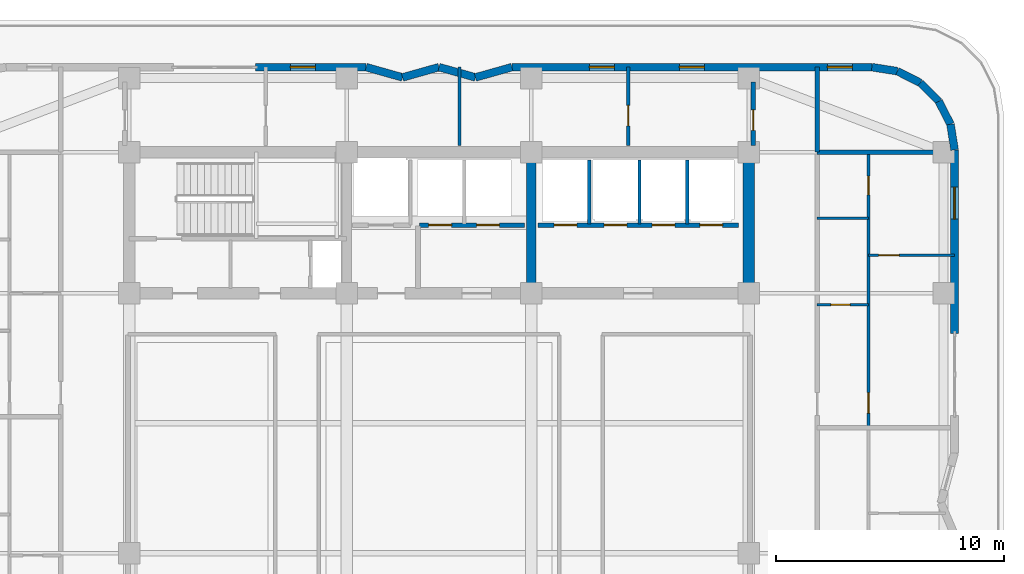
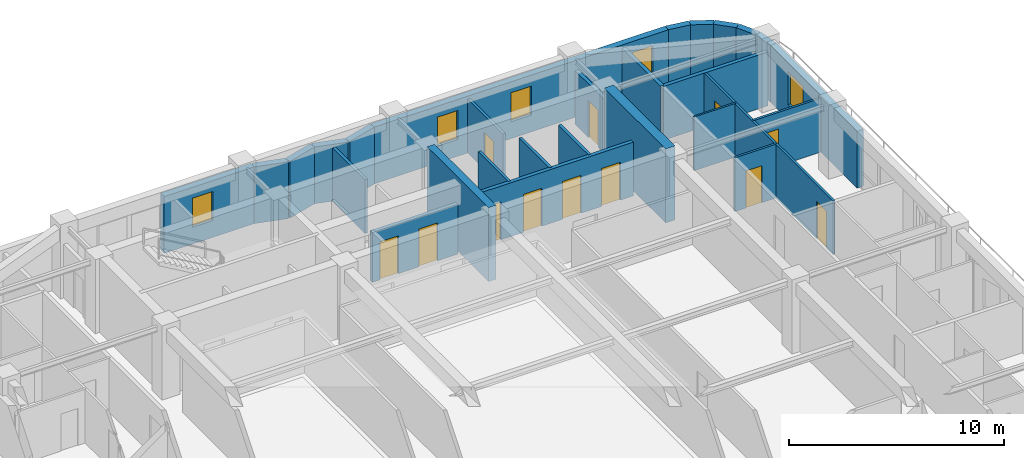
# One storey, part 10 of 14: 28 walls, 12 doors, 5 windows, 17 openings.
"""IFC4 building model written with IfcOpenShell, lengths in metres."""

from ifc_helpers import new_model, si_unit, direction, frame, frame_2d, origin, place, context, subcontext, project, spatial, rectangle, extrude, material, layer, layer_set, type_object, element, fill, save


model = new_model("IFC4")

# Units and contexts
model_context = context("Model", 3, precision=1e-05, world=origin(), true_north=direction((0.0, 1.0)))
body_context = subcontext(model_context, "Body", "Model", "MODEL_VIEW")
ifc_project = project(units=[si_unit("LENGTHUNIT", "METRE"), si_unit("AREAUNIT", "SQUARE_METRE"), si_unit("VOLUMEUNIT", "CUBIC_METRE"), si_unit("PLANEANGLEUNIT", "RADIAN"), si_unit("MASSUNIT", "GRAM", prefix="KILO")], contexts=[model_context])

# Site, building, storey
site_placement = place(None, origin())
site = spatial("IfcSite", under=ifc_project, at=site_placement, CompositionType="ELEMENT")
building_placement = place(site_placement, origin())
building = spatial("IfcBuilding", under=site, at=building_placement, Name="Svetorya Sky Lyceum", CompositionType="ELEMENT")
storey_placement = place(building_placement, frame((0.0, 0.0, 143.60009765625)))
storey = spatial("IfcBuildingStorey", under=building, at=storey_placement, Name="L35", CompositionType="ELEMENT", Elevation=143.60009765625)

# Walls
ifc_material_1 = material(Name="Concrete C40/50", Category="concrete")
ifc_layer_1 = layer(ifc_material_1, 0.39990234375)
ifc_layer_set_1 = layer_set([ifc_layer_1], Name="Concrete C40/50")
wall_type_1 = type_object("IfcWallType", Name="WL-CORE-400", PredefinedType="SHEAR", material=ifc_layer_set_1)
wall_1_placement = place(storey_placement, frame((43.25, 39.85009765625, 0.0), z_axis=(0.0, 0.0, 1.0), x_axis=(0.0, 1.0, 0.0)))
element("IfcWall", 1, at=wall_1_placement, inside=storey, type_object=wall_type_1, Name="L35 NC Internal Shear Web WEB2", PredefinedType="SHEAR", context=body_context, shape_type="SweptSolid", body=[
    extrude(rectangle(XDim=5.699951171875, YDim=0.39990234375, at=frame_2d((2.85009765625, 0.0))), origin(), (0.0, 0.0, 1.0), 4.199951171875),
])
ifc_material_2 = material(Name="Concrete C50/60", Category="concrete")
ifc_layer_2 = layer(ifc_material_2, 0.5)
ifc_layer_set_2 = layer_set([ifc_layer_2], Name="Concrete C50/60")
wall_type_2 = type_object("IfcWallType", Name="WL-CORE-500", PredefinedType="SHEAR", material=ifc_layer_set_2)
wall_2_placement = place(storey_placement, frame((52.800048828125, 39.85009765625, 0.0), z_axis=(0.0, 0.0, 1.0), x_axis=(0.0, 1.0, 0.0)))
element("IfcWall", 2, at=wall_2_placement, inside=storey, type_object=wall_type_2, Name="L35 NC East Core Shear Wall", PredefinedType="SHEAR", context=body_context, shape_type="SweptSolid", body=[
    extrude(rectangle(XDim=5.699951171875, YDim=0.5, at=frame_2d((2.85009765625, 0.0))), origin(), (0.0, 0.0, 1.0), 4.199951171875),
])

# Wall, opening, window
ifc_material_3 = material(Name="Putilovo limestone rainscreen on autoclaved cellular masonry", Category="masonry")
ifc_layer_3 = layer(ifc_material_3, 0.340087890625)
ifc_layer_set_3 = layer_set([ifc_layer_3], Name="Putilovo limestone rainscreen on autoclaved cellular masonry")
wall_type_3 = type_object("IfcWallType", Name="WL-EXT-340", PredefinedType="SOLIDWALL", material=ifc_layer_set_3)
wall_3_placement = place(storey_placement, frame((61.830078125, 37.85009765625, 0.0), z_axis=(0.0, 0.0, 1.0), x_axis=(0.0, 1.0, 0.0)))
wall_3 = element("IfcWall", 3, at=wall_3_placement, inside=storey, type_object=wall_type_3, Name="L35 Limestone Exterior Wall 23B", PredefinedType="SOLIDWALL", context=body_context, shape_type="SweptSolid", body=[
    extrude(rectangle(XDim=8.0498046875, YDim=0.340087890625, at=frame_2d((4.02490234375, 0.0))), origin(), (0.0, 0.0, 1.0), 3.219970703125),
])
opening_1_placement = place(wall_3_placement, frame((5.012451171875, 0.0, 0.85009765625)))
opening_1 = element("IfcOpeningElement", 4, at=opening_1_placement, cuts=wall_3, Name="Opening W-R2", PredefinedType="OPENING", context=body_context, shape_type="SweptSolid", body=[
    extrude(rectangle(XDim=1.39990234375, YDim=1.85009765625, at=frame_2d((0.699951171875, 0.925048828125))), frame((0.0, 0.179931640625, 0.0), z_axis=(0.0, -1.0, 0.0), x_axis=(1.0, 0.0, 0.0)), (0.0, 0.0, 1.0), 0.360107421875),
])
ifc_material_4 = material(Name="Thermally broken aluminium frame with triple low-E glazing", Category="aluminium")
window_type_1 = type_object("IfcWindowType", Name="WN-RES-140", PartitioningType="SINGLE_PANEL", PredefinedType="WINDOW", material=ifc_material_4)
window_1_placement = place(opening_1_placement, origin())
window_1 = element("IfcWindow", 5, at=window_1_placement, inside=storey, type_object=window_type_1, Name="L35 Facade Window W-R2.23B.1", OverallHeight=1.85009765625, OverallWidth=1.39990234375, PartitioningType="SINGLE_PANEL", PredefinedType="WINDOW", context=body_context, shape_type="SweptSolid", body=[
    extrude(rectangle(XDim=1.39990234375, YDim=1.85009765625, at=frame_2d((0.699951171875, 0.925048828125))), frame((0.0, 0.030029296875, 0.0), z_axis=(0.0, -1.0, 0.0), x_axis=(1.0, 0.0, 0.0)), (0.0, 0.0, 1.0), 0.06005859375),
])
fill(opening_1, window_1)

# Walls
for number, where, z_axis, x_axis, name in (
    (6, (61.830078125, 45.89990234375, 0.0), (0.0, 0.0, 1.0), (-0.156481329164, 0.987680916907, 0.0), "L35 Limestone Exterior Wall 24M"),
    (7, (61.65234375, 47.021728515625, 0.0), (0.0, 0.0, 1.0), (-0.453993402883, 0.891005044957, 0.0), "L35 Limestone Exterior Wall 25M"),
):
    element("IfcWall", number, at=place(storey_placement, frame(where, z_axis=z_axis, x_axis=x_axis)), inside=storey, type_object=wall_type_3, Name=name, PredefinedType="SOLIDWALL", context=body_context, shape_type="SweptSolid", body=[
        extrude(rectangle(XDim=1.1357421875, YDim=0.340087890625, at=frame_2d((0.56787109375, 0.0))), origin(), (0.0, 0.0, 1.0), 3.219970703125),
    ])
wall_4_placement = place(storey_placement, frame((61.13671875, 48.03369140625, 0.0), z_axis=(0.0, 0.0, 1.0), x_axis=(-0.707106781187, 0.707106781187, 0.0)))
element("IfcWall", 8, at=wall_4_placement, inside=storey, type_object=wall_type_3, Name="L35 Limestone Exterior Wall 26M", PredefinedType="SOLIDWALL", context=body_context, shape_type="SweptSolid", body=[
    extrude(rectangle(XDim=1.135498046875, YDim=0.340087890625, at=frame_2d((0.56787109375, 0.0))), origin(), (0.0, 0.0, 1.0), 3.219970703125),
])
for number, where, z_axis, x_axis, name in (
    (9, (60.333740234375, 48.836669921875, 0.0), (0.0, 0.0, 1.0), (-0.891005044957, 0.453993402883, 0.0), "L35 Limestone Exterior Wall 27M"),
    (10, (59.32177734375, 49.352294921875, 0.0), (0.0, 0.0, 1.0), (-0.987680916907, 0.156481329164, 0.0), "L35 Limestone Exterior Wall 28M"),
):
    element("IfcWall", number, at=place(storey_placement, frame(where, z_axis=z_axis, x_axis=x_axis)), inside=storey, type_object=wall_type_3, Name=name, PredefinedType="SOLIDWALL", context=body_context, shape_type="SweptSolid", body=[
        extrude(rectangle(XDim=1.1357421875, YDim=0.340087890625, at=frame_2d((0.56787109375, 0.0))), origin(), (0.0, 0.0, 1.0), 3.219970703125),
    ])

# Wall, openings, windows
wall_5_placement = place(storey_placement, frame((58.199951171875, 49.530029296875, 0.0), z_axis=(0.0, 0.0, 1.0), x_axis=(-1.0, 0.0, 0.0)))
wall_5 = element("IfcWall", 11, at=wall_5_placement, inside=storey, type_object=wall_type_3, Name="L35 Limestone Exterior Wall 29M", PredefinedType="SOLIDWALL", context=body_context, shape_type="SweptSolid", body=[
    extrude(rectangle(XDim=15.800048828125, YDim=0.340087890625, at=frame_2d((7.89990234375, 0.0))), origin(), (0.0, 0.0, 1.0), 3.219970703125),
])
opening_2_placement = place(wall_5_placement, frame((0.85009765625, 0.0, 0.949951171875)))
opening_2 = element("IfcOpeningElement", 12, at=opening_2_placement, cuts=wall_5, Name="Opening W-R3", PredefinedType="OPENING", context=body_context, shape_type="SweptSolid", body=[
    extrude(rectangle(XDim=1.10009765625, YDim=1.64990234375, at=frame_2d((0.550048828125, 0.824951171875))), frame((0.0, 0.179931640625, 0.0), z_axis=(0.0, -1.0, 0.0), x_axis=(1.0, 0.0, 0.0)), (0.0, 0.0, 1.0), 0.360107421875),
])
opening_3_placement = place(wall_5_placement, frame((7.35009765625, 0.0, 0.949951171875)))
opening_3 = element("IfcOpeningElement", 13, at=opening_3_placement, cuts=wall_5, Name="Opening W-R3", PredefinedType="OPENING", context=body_context, shape_type="SweptSolid", body=[
    extrude(rectangle(XDim=1.10009765625, YDim=1.64990234375, at=frame_2d((0.550048828125, 0.824951171875))), frame((0.0, 0.179931640625, 0.0), z_axis=(0.0, -1.0, 0.0), x_axis=(1.0, 0.0, 0.0)), (0.0, 0.0, 1.0), 0.360107421875),
])
opening_4_placement = place(wall_5_placement, frame((11.300048828125, 0.0, 0.949951171875)))
opening_4 = element("IfcOpeningElement", 14, at=opening_4_placement, cuts=wall_5, Name="Opening W-R3", PredefinedType="OPENING", context=body_context, shape_type="SweptSolid", body=[
    extrude(rectangle(XDim=1.10009765625, YDim=1.64990234375, at=frame_2d((0.550048828125, 0.824951171875))), frame((0.0, 0.179931640625, 0.0), z_axis=(0.0, -1.0, 0.0), x_axis=(1.0, 0.0, 0.0)), (0.0, 0.0, 1.0), 0.360107421875),
])
window_type_2 = type_object("IfcWindowType", Name="WN-RES-110", PartitioningType="SINGLE_PANEL", PredefinedType="WINDOW", material=ifc_material_4)
window_2_placement = place(opening_2_placement, origin())
window_2 = element("IfcWindow", 15, at=window_2_placement, inside=storey, type_object=window_type_2, Name="L35 Facade Window W-R3.29M.1", OverallHeight=1.64990234375, OverallWidth=1.10009765625, PartitioningType="SINGLE_PANEL", PredefinedType="WINDOW", context=body_context, shape_type="SweptSolid", body=[
    extrude(rectangle(XDim=1.10009765625, YDim=1.64990234375, at=frame_2d((0.550048828125, 0.824951171875))), frame((0.0, 0.030029296875, 0.0), z_axis=(0.0, -1.0, 0.0), x_axis=(1.0, 0.0, 0.0)), (0.0, 0.0, 1.0), 0.06005859375),
])
fill(opening_2, window_2)
window_3_placement = place(opening_3_placement, origin())
window_3 = element("IfcWindow", 16, at=window_3_placement, inside=storey, type_object=window_type_2, Name="L35 Facade Window W-R3.29M.2", OverallHeight=1.64990234375, OverallWidth=1.10009765625, PartitioningType="SINGLE_PANEL", PredefinedType="WINDOW", context=body_context, shape_type="SweptSolid", body=[
    extrude(rectangle(XDim=1.10009765625, YDim=1.64990234375, at=frame_2d((0.550048828125, 0.824951171875))), frame((0.0, 0.030029296875, 0.0), z_axis=(0.0, -1.0, 0.0), x_axis=(1.0, 0.0, 0.0)), (0.0, 0.0, 1.0), 0.06005859375),
])
fill(opening_3, window_3)
window_4_placement = place(opening_4_placement, origin())
window_4 = element("IfcWindow", 17, at=window_4_placement, inside=storey, type_object=window_type_2, Name="L35 Facade Window W-R3.29M.3", OverallHeight=1.64990234375, OverallWidth=1.10009765625, PartitioningType="SINGLE_PANEL", PredefinedType="WINDOW", context=body_context, shape_type="SweptSolid", body=[
    extrude(rectangle(XDim=1.10009765625, YDim=1.64990234375, at=frame_2d((0.550048828125, 0.824951171875))), frame((0.0, 0.030029296875, 0.0), z_axis=(0.0, -1.0, 0.0), x_axis=(1.0, 0.0, 0.0)), (0.0, 0.0, 1.0), 0.06005859375),
])
fill(opening_4, window_4)

# Walls
wall_6_placement = place(storey_placement, frame((42.39990234375, 49.530029296875, 0.0), z_axis=(0.0, 0.0, 1.0), x_axis=(-0.962652136636, -0.270741322725, 0.0)))
element("IfcWall", 18, at=wall_6_placement, inside=storey, type_object=wall_type_3, Name="L35 Limestone Exterior Wall 30M", PredefinedType="SOLIDWALL", context=body_context, shape_type="SweptSolid", body=[
    extrude(rectangle(XDim=1.661865234375, YDim=0.340087890625, at=frame_2d((0.8310546875, 0.0))), origin(), (0.0, 0.0, 1.0), 3.219970703125),
])
wall_7_placement = place(storey_placement, frame((40.800048828125, 49.080078125, 0.0), z_axis=(0.0, 0.0, 1.0), x_axis=(-0.962662902433, 0.270703040766, 0.0)))
element("IfcWall", 19, at=wall_7_placement, inside=storey, type_object=wall_type_3, Name="L35 Limestone Exterior Wall 31M", PredefinedType="SOLIDWALL", context=body_context, shape_type="SweptSolid", body=[
    extrude(rectangle(XDim=1.662109375, YDim=0.340087890625, at=frame_2d((0.8310546875, 0.0))), origin(), (0.0, 0.0, 1.0), 3.219970703125),
])
wall_8_placement = place(storey_placement, frame((39.199951171875, 49.530029296875, 0.0), z_axis=(0.0, 0.0, 1.0), x_axis=(-0.962652136636, -0.270741322725, 0.0)))
element("IfcWall", 20, at=wall_8_placement, inside=storey, type_object=wall_type_3, Name="L35 Limestone Exterior Wall 32M", PredefinedType="SOLIDWALL", context=body_context, shape_type="SweptSolid", body=[
    extrude(rectangle(XDim=1.661865234375, YDim=0.340087890625, at=frame_2d((0.8310546875, 0.0))), origin(), (0.0, 0.0, 1.0), 3.219970703125),
])
wall_9_placement = place(storey_placement, frame((37.60009765625, 49.080078125, 0.0), z_axis=(0.0, 0.0, 1.0), x_axis=(-0.962662902433, 0.270703040766, 0.0)))
element("IfcWall", 21, at=wall_9_placement, inside=storey, type_object=wall_type_3, Name="L35 Limestone Exterior Wall 33M", PredefinedType="SOLIDWALL", context=body_context, shape_type="SweptSolid", body=[
    extrude(rectangle(XDim=1.662109375, YDim=0.340087890625, at=frame_2d((0.8310546875, 0.0))), origin(), (0.0, 0.0, 1.0), 3.219970703125),
])

# Wall, opening, window
wall_10_placement = place(storey_placement, frame((36.0, 49.530029296875, 0.0), z_axis=(0.0, 0.0, 1.0), x_axis=(-1.0, 0.0, 0.0)))
wall_10 = element("IfcWall", 22, at=wall_10_placement, inside=storey, type_object=wall_type_3, Name="L35 Limestone Exterior Wall 34A", PredefinedType="SOLIDWALL", context=body_context, shape_type="SweptSolid", body=[
    extrude(rectangle(XDim=4.85009765625, YDim=0.340087890625, at=frame_2d((2.425048828125, 0.0))), origin(), (0.0, 0.0, 1.0), 3.219970703125),
])
opening_5_placement = place(wall_10_placement, frame((2.22509765625, 0.0, 0.949951171875)))
opening_5 = element("IfcOpeningElement", 23, at=opening_5_placement, cuts=wall_10, Name="Opening W-R3", PredefinedType="OPENING", context=body_context, shape_type="SweptSolid", body=[
    extrude(rectangle(XDim=1.10009765625, YDim=1.64990234375, at=frame_2d((0.550048828125, 0.824951171875))), frame((0.0, 0.179931640625, 0.0), z_axis=(0.0, -1.0, 0.0), x_axis=(1.0, 0.0, 0.0)), (0.0, 0.0, 1.0), 0.360107421875),
])
window_5_placement = place(opening_5_placement, origin())
window_5 = element("IfcWindow", 24, at=window_5_placement, inside=storey, type_object=window_type_2, Name="L35 Facade Window W-R3.34A.1", OverallHeight=1.64990234375, OverallWidth=1.10009765625, PartitioningType="SINGLE_PANEL", PredefinedType="WINDOW", context=body_context, shape_type="SweptSolid", body=[
    extrude(rectangle(XDim=1.10009765625, YDim=1.64990234375, at=frame_2d((0.550048828125, 0.824951171875))), frame((0.0, 0.030029296875, 0.0), z_axis=(0.0, -1.0, 0.0), x_axis=(1.0, 0.0, 0.0)), (0.0, 0.0, 1.0), 0.06005859375),
])
fill(opening_5, window_5)

# Wall
ifc_material_5 = material(Name="Galvanized stud partition with moisture-resistant board", Category="gypsum")
ifc_layer_4 = layer(ifc_material_5, 0.10009765625)
ifc_layer_set_4 = layer_set([ifc_layer_4], Name="Galvanized stud partition with moisture-resistant board")
wall_type_4 = type_object("IfcWallType", Name="WL-PART-100", PredefinedType="PARTITIONING", material=ifc_layer_set_4)
wall_11_placement = place(storey_placement, frame((55.800048828125, 42.89990234375, 0.0), z_axis=(0.0, 0.0, 1.0), x_axis=(1.0, 0.0, 0.0)))
element("IfcWall", 25, at=wall_11_placement, inside=storey, type_object=wall_type_4, Name="L35 Interior Partition E3-WH2", PredefinedType="PARTITIONING", context=body_context, shape_type="SweptSolid", body=[
    extrude(rectangle(XDim=2.25, YDim=0.10009765625, at=frame_2d((1.125, 0.0))), origin(), (0.0, 0.0, 1.0), 3.0498046875),
])

# Wall, opening, door
ifc_material_6 = material(Name="Twin-stud galvanized framing with double fireboard", Category="gypsum")
ifc_layer_5 = layer(ifc_material_6, 0.1201171875)
ifc_layer_set_5 = layer_set([ifc_layer_5], Name="Twin-stud galvanized framing with double fireboard")
wall_type_5 = type_object("IfcWallType", Name="WL-PART-120", PredefinedType="PARTITIONING", material=ifc_layer_set_5)
wall_12_placement = place(storey_placement, frame((55.800048828125, 39.10009765625, 0.0), z_axis=(0.0, 0.0, 1.0), x_axis=(1.0, 0.0, 0.0)))
wall_12 = element("IfcWall", 26, at=wall_12_placement, inside=storey, type_object=wall_type_5, Name="L35 Interior Partition E3-WH1", PredefinedType="PARTITIONING", context=body_context, shape_type="SweptSolid", body=[
    extrude(rectangle(XDim=2.25, YDim=0.1201171875, at=frame_2d((1.125, 0.0))), origin(), (0.0, 0.0, 1.0), 3.0498046875),
])
opening_6_placement = place(wall_12_placement, frame((0.60009765625, 0.0, 0.0)))
opening_6 = element("IfcOpeningElement", 27, at=opening_6_placement, cuts=wall_12, Name="Opening D-BT1", PredefinedType="OPENING", context=body_context, shape_type="SweptSolid", body=[
    extrude(rectangle(XDim=0.85009765625, YDim=2.10009765625, at=frame_2d((0.425048828125, 1.050048828125))), frame((0.0, 0.070068359375, 0.0), z_axis=(0.0, -1.0, 0.0), x_axis=(1.0, 0.0, 0.0)), (0.0, 0.0, 1.0), 0.14013671875),
])
ifc_material_7 = material(Name="Moisture-resistant laminate bathroom door")
door_type_1 = type_object("IfcDoorType", Name="DR-WET-850", OperationType="SINGLE_SWING_LEFT", PredefinedType="DOOR", material=ifc_material_7)
door_1_placement = place(opening_6_placement, origin())
door_1 = element("IfcDoor", 28, at=door_1_placement, inside=storey, type_object=door_type_1, Name="Apartment E3 Bathroom Door", OperationType="SINGLE_SWING_RIGHT", OverallHeight=2.10009765625, OverallWidth=0.85009765625, PredefinedType="DOOR", context=body_context, shape_type="SweptSolid", body=[
    extrude(rectangle(XDim=0.85009765625, YDim=2.10009765625, at=frame_2d((0.425048828125, 1.050048828125))), frame((0.0, 0.02490234375, 0.0), z_axis=(0.0, -1.0, 0.0), x_axis=(1.0, 0.0, 0.0)), (0.0, 0.0, 1.0), 0.050048828125),
])
fill(opening_6, door_1)

wall_13_placement = place(storey_placement, frame((58.050048828125, 41.280029296875, 0.0), z_axis=(0.0, 0.0, 1.0), x_axis=(1.0, 0.0, 0.0)))
wall_13 = element("IfcWall", 29, at=wall_13_placement, inside=storey, type_object=wall_type_5, Name="L35 Interior Partition E3-WL1", PredefinedType="PARTITIONING", context=body_context, shape_type="SweptSolid", body=[
    extrude(rectangle(XDim=3.780029296875, YDim=0.1201171875, at=frame_2d((1.89013671875, 0.0))), origin(), (0.0, 0.0, 1.0), 3.0498046875),
])
opening_7_placement = place(wall_13_placement, frame((0.449951171875, 0.0, 0.0)))
opening_7 = element("IfcOpeningElement", 30, at=opening_7_placement, cuts=wall_13, Name="Opening D-RM1", PredefinedType="OPENING", context=body_context, shape_type="SweptSolid", body=[
    extrude(rectangle(XDim=0.89990234375, YDim=2.10009765625, at=frame_2d((0.449951171875, 1.050048828125))), frame((0.0, 0.070068359375, 0.0), z_axis=(0.0, -1.0, 0.0), x_axis=(1.0, 0.0, 0.0)), (0.0, 0.0, 1.0), 0.14013671875),
])
ifc_material_8 = material(Name="Lacquered birch veneer internal door")
door_type_2 = type_object("IfcDoorType", Name="DR-INT-900", OperationType="SINGLE_SWING_LEFT", PredefinedType="DOOR", material=ifc_material_8)
door_2_placement = place(opening_7_placement, origin())
door_2 = element("IfcDoor", 31, at=door_2_placement, inside=storey, type_object=door_type_2, Name="Apartment E3 Bedroom 1 Door", OperationType="SINGLE_SWING_RIGHT", OverallHeight=2.10009765625, OverallWidth=0.89990234375, PredefinedType="DOOR", context=body_context, shape_type="SweptSolid", body=[
    extrude(rectangle(XDim=0.89990234375, YDim=2.10009765625, at=frame_2d((0.449951171875, 1.050048828125))), frame((0.0, 0.02490234375, 0.0), z_axis=(0.0, -1.0, 0.0), x_axis=(1.0, 0.0, 0.0)), (0.0, 0.0, 1.0), 0.050048828125),
])
fill(opening_7, door_2)

# Wall, openings, doors
wall_14_placement = place(storey_placement, frame((58.050048828125, 33.739990234375, 0.0), z_axis=(0.0, 0.0, 1.0), x_axis=(0.0, 1.0, 0.0)))
wall_14 = element("IfcWall", 32, at=wall_14_placement, inside=storey, type_object=wall_type_5, Name="L35 Interior Partition E3-WV", PredefinedType="PARTITIONING", context=body_context, shape_type="SweptSolid", body=[
    extrude(rectangle(XDim=12.02001953125, YDim=0.1201171875, at=frame_2d((6.010009765625, 0.0))), origin(), (0.0, 0.0, 1.0), 3.0498046875),
])
opening_8_placement = place(wall_14_placement, frame((0.610107421875, 0.0, 0.0)))
opening_8 = element("IfcOpeningElement", 33, at=opening_8_placement, cuts=wall_14, Name="Opening D-RM1", PredefinedType="OPENING", context=body_context, shape_type="SweptSolid", body=[
    extrude(rectangle(XDim=0.89990234375, YDim=2.10009765625, at=frame_2d((0.449951171875, 1.050048828125))), frame((0.0, 0.070068359375, 0.0), z_axis=(0.0, -1.0, 0.0), x_axis=(1.0, 0.0, 0.0)), (0.0, 0.0, 1.0), 0.14013671875),
])
opening_9_placement = place(wall_14_placement, frame((10.18505859375, 0.0, 0.0)))
opening_9 = element("IfcOpeningElement", 34, at=opening_9_placement, cuts=wall_14, Name="Opening D-BT2", PredefinedType="OPENING", context=body_context, shape_type="SweptSolid", body=[
    extrude(rectangle(XDim=0.820068359375, YDim=2.080078125, at=frame_2d((0.41015625, 1.0400390625))), frame((0.0, 0.070068359375, 0.0), z_axis=(0.0, -1.0, 0.0), x_axis=(1.0, 0.0, 0.0)), (0.0, 0.0, 1.0), 0.14013671875),
])
door_3_placement = place(opening_8_placement, origin())
door_3 = element("IfcDoor", 35, at=door_3_placement, inside=storey, type_object=door_type_2, Name="Apartment E3 Living Door", OperationType="SINGLE_SWING_LEFT", OverallHeight=2.10009765625, OverallWidth=0.89990234375, PredefinedType="DOOR", context=body_context, shape_type="SweptSolid", body=[
    extrude(rectangle(XDim=0.89990234375, YDim=2.10009765625, at=frame_2d((0.449951171875, 1.050048828125))), frame((0.0, 0.02490234375, 0.0), z_axis=(0.0, -1.0, 0.0), x_axis=(1.0, 0.0, 0.0)), (0.0, 0.0, 1.0), 0.050048828125),
])
fill(opening_8, door_3)
ifc_material_9 = material(Name="Compact moisture-resistant laminate closet door")
door_type_3 = type_object("IfcDoorType", Name="DR-WET-820", OperationType="SINGLE_SWING_LEFT", PredefinedType="DOOR", material=ifc_material_9)
door_4_placement = place(opening_9_placement, origin())
door_4 = element("IfcDoor", 36, at=door_4_placement, inside=storey, type_object=door_type_3, Name="Apartment E3 Study Door", OperationType="SINGLE_SWING_RIGHT", OverallHeight=2.080078125, OverallWidth=0.820068359375, PredefinedType="DOOR", context=body_context, shape_type="SweptSolid", body=[
    extrude(rectangle(XDim=0.820068359375, YDim=2.080078125, at=frame_2d((0.41015625, 1.0400390625))), frame((0.0, 0.02490234375, 0.0), z_axis=(0.0, -1.0, 0.0), x_axis=(1.0, 0.0, 0.0)), (0.0, 0.0, 1.0), 0.050048828125),
])
fill(opening_9, door_4)

# Walls
ifc_material_10 = material(Name="Autoclaved cellular masonry blockwork with acoustic render", Category="masonry")
ifc_layer_6 = layer(ifc_material_10, 0.14990234375)
ifc_layer_set_6 = layer_set([ifc_layer_6], Name="Autoclaved cellular masonry blockwork with acoustic render")
wall_type_6 = type_object("IfcWallType", Name="WL-PART-150", PredefinedType="PARTITIONING", material=ifc_layer_set_6)
for number, where, z_axis, x_axis, name in (
    (37, (45.800048828125, 42.64990234375, 0.0), (0.0, 0.0, 1.0), (0.0, 1.0, 0.0), "L35 Interior Partition NC-PM3-D"),
    (38, (48.0, 42.64990234375, 0.0), (0.0, 0.0, 1.0), (0.0, 1.0, 0.0), "L35 Interior Partition NC-PH-D1"),
    (39, (50.10009765625, 42.64990234375, 0.0), (0.0, 0.0, 1.0), (0.0, 1.0, 0.0), "L35 Interior Partition NC-PH-D2"),
):
    element("IfcWall", number, at=place(storey_placement, frame(where, z_axis=z_axis, x_axis=x_axis)), inside=storey, type_object=wall_type_6, Name=name, PredefinedType="PARTITIONING", context=body_context, shape_type="SweptSolid", body=[
        extrude(rectangle(XDim=2.800048828125, YDim=0.14990234375, at=frame_2d((1.39990234375, 0.0))), origin(), (0.0, 0.0, 1.0), 3.0498046875),
    ])
wall_15_placement = place(storey_placement, frame((40.10009765625, 46.10009765625, 0.0), z_axis=(0.0, 0.0, 1.0), x_axis=(0.0, 1.0, 0.0)))
element("IfcWall", 40, at=wall_15_placement, inside=storey, type_object=wall_type_6, Name="L35 Interior Partition N4-D2", PredefinedType="PARTITIONING", context=body_context, shape_type="SweptSolid", body=[
    extrude(rectangle(XDim=3.429931640625, YDim=0.14990234375, at=frame_2d((1.71484375, 0.0))), origin(), (0.0, 0.0, 1.0), 3.0498046875),
])

# Wall, opening, door
wall_16_placement = place(storey_placement, frame((47.5, 46.10009765625, 0.0), z_axis=(0.0, 0.0, 1.0), x_axis=(0.0, 1.0, 0.0)))
wall_16 = element("IfcWall", 41, at=wall_16_placement, inside=storey, type_object=wall_type_6, Name="L35 Interior Partition N4-D3", PredefinedType="PARTITIONING", context=body_context, shape_type="SweptSolid", body=[
    extrude(rectangle(XDim=3.429931640625, YDim=0.14990234375, at=frame_2d((1.71484375, 0.0))), origin(), (0.0, 0.0, 1.0), 3.0498046875),
])
opening_10_placement = place(wall_16_placement, frame((0.85009765625, 0.0, 0.0)))
opening_10 = element("IfcOpeningElement", 42, at=opening_10_placement, cuts=wall_16, Name="Opening D-RM1", PredefinedType="OPENING", context=body_context, shape_type="SweptSolid", body=[
    extrude(rectangle(XDim=0.89990234375, YDim=2.10009765625, at=frame_2d((0.449951171875, 1.050048828125))), frame((0.0, 0.0849609375, 0.0), z_axis=(0.0, -1.0, 0.0), x_axis=(1.0, 0.0, 0.0)), (0.0, 0.0, 1.0), 0.169921875),
])
door_5_placement = place(opening_10_placement, origin())
door_5 = element("IfcDoor", 43, at=door_5_placement, inside=storey, type_object=door_type_2, Name="L35 North Suite Door 3", OperationType="SINGLE_SWING_RIGHT", OverallHeight=2.10009765625, OverallWidth=0.89990234375, PredefinedType="DOOR", context=body_context, shape_type="SweptSolid", body=[
    extrude(rectangle(XDim=0.89990234375, YDim=2.10009765625, at=frame_2d((0.449951171875, 1.050048828125))), frame((0.0, 0.02490234375, 0.0), z_axis=(0.0, -1.0, 0.0), x_axis=(1.0, 0.0, 0.0)), (0.0, 0.0, 1.0), 0.050048828125),
])
fill(opening_10, door_5)

# Wall, openings, doors
ifc_material_11 = material(Name="Autoclaved cellular masonry blockwork with gypsum plaster", Category="masonry")
ifc_layer_7 = layer(ifc_material_11, 0.199951171875)
ifc_layer_set_7 = layer_set([ifc_layer_7], Name="Autoclaved cellular masonry blockwork with gypsum plaster")
wall_type_7 = type_object("IfcWallType", Name="WL-PART-200", PredefinedType="PARTITIONING", material=ifc_layer_set_7)
wall_17_placement = place(storey_placement, frame((42.949951171875, 42.60009765625, 0.0), z_axis=(0.0, 0.0, 1.0), x_axis=(-1.0, 0.0, 0.0)))
wall_17 = element("IfcWall", 44, at=wall_17_placement, inside=storey, type_object=wall_type_7, Name="L35 Interior Partition NC-PM12W", PredefinedType="PARTITIONING", context=body_context, shape_type="SweptSolid", body=[
    extrude(rectangle(XDim=4.599853515625, YDim=0.199951171875, at=frame_2d((2.2998046875, 0.0))), origin(), (0.0, 0.0, 1.0), 2.81982421875),
])
opening_11_placement = place(wall_17_placement, frame((3.199951171875, 0.0, 0.0)))
opening_11 = element("IfcOpeningElement", 45, at=opening_11_placement, cuts=wall_17, Name="Opening LD-P1", PredefinedType="OPENING", context=body_context, shape_type="SweptSolid", body=[
    extrude(rectangle(XDim=1.0, YDim=2.14990234375, at=frame_2d((0.5, 1.074951171875))), frame((0.0, 0.10986328125, 0.0), z_axis=(0.0, -1.0, 0.0), x_axis=(1.0, 0.0, 0.0)), (0.0, 0.0, 1.0), 0.219970703125),
])
opening_12_placement = place(wall_17_placement, frame((1.10009765625, 0.0, 0.0)))
opening_12 = element("IfcOpeningElement", 46, at=opening_12_placement, cuts=wall_17, Name="Opening LD-P1", PredefinedType="OPENING", context=body_context, shape_type="SweptSolid", body=[
    extrude(rectangle(XDim=1.0, YDim=2.14990234375, at=frame_2d((0.5, 1.074951171875))), frame((0.0, 0.10986328125, 0.0), z_axis=(0.0, -1.0, 0.0), x_axis=(1.0, 0.0, 0.0)), (0.0, 0.0, 1.0), 0.219970703125),
])
ifc_material_12 = material(Name="Champagne-anodized stainless passenger lift landing door")
door_type_4 = type_object("IfcDoorType", Name="DR-LIFT-1000", OperationType="SLIDING_TO_LEFT", PredefinedType="DOOR", material=ifc_material_12)
door_6_placement = place(opening_11_placement, origin())
door_6 = element("IfcDoor", 47, at=door_6_placement, inside=storey, type_object=door_type_4, Name="L35 Passenger Lift PM1 Landing Door", OperationType="SLIDING_TO_LEFT", OverallHeight=2.14990234375, OverallWidth=1.0, PredefinedType="DOOR", context=body_context, shape_type="SweptSolid", body=[
    extrude(rectangle(XDim=1.0, YDim=2.14990234375, at=frame_2d((0.5, 1.074951171875))), frame((0.0, 0.02490234375, 0.0), z_axis=(0.0, -1.0, 0.0), x_axis=(1.0, 0.0, 0.0)), (0.0, 0.0, 1.0), 0.050048828125),
])
fill(opening_11, door_6)
door_7_placement = place(opening_12_placement, origin())
door_7 = element("IfcDoor", 48, at=door_7_placement, inside=storey, type_object=door_type_4, Name="L35 Passenger Lift PM2 Landing Door", OperationType="SLIDING_TO_LEFT", OverallHeight=2.14990234375, OverallWidth=1.0, PredefinedType="DOOR", context=body_context, shape_type="SweptSolid", body=[
    extrude(rectangle(XDim=1.0, YDim=2.14990234375, at=frame_2d((0.5, 1.074951171875))), frame((0.0, 0.02490234375, 0.0), z_axis=(0.0, -1.0, 0.0), x_axis=(1.0, 0.0, 0.0)), (0.0, 0.0, 1.0), 0.050048828125),
])
fill(opening_12, door_7)

wall_18_placement = place(storey_placement, frame((52.35009765625, 42.60009765625, 0.0), z_axis=(0.0, 0.0, 1.0), x_axis=(-1.0, 0.0, 0.0)))
wall_18 = element("IfcWall", 49, at=wall_18_placement, inside=storey, type_object=wall_type_7, Name="L35 Interior Partition NC-PHEW", PredefinedType="PARTITIONING", context=body_context, shape_type="SweptSolid", body=[
    extrude(rectangle(XDim=8.800048828125, YDim=0.199951171875, at=frame_2d((4.39990234375, 0.0))), origin(), (0.0, 0.0, 1.0), 3.0498046875),
])
opening_13_placement = place(wall_18_placement, frame((7.10009765625, 0.0, 0.0)))
opening_13 = element("IfcOpeningElement", 50, at=opening_13_placement, cuts=wall_18, Name="Opening LD-P1", PredefinedType="OPENING", context=body_context, shape_type="SweptSolid", body=[
    extrude(rectangle(XDim=1.0, YDim=2.14990234375, at=frame_2d((0.5, 1.074951171875))), frame((0.0, 0.10986328125, 0.0), z_axis=(0.0, -1.0, 0.0), x_axis=(1.0, 0.0, 0.0)), (0.0, 0.0, 1.0), 0.219970703125),
])
opening_14_placement = place(wall_18_placement, frame((4.89990234375, 0.0, 0.0)))
opening_14 = element("IfcOpeningElement", 51, at=opening_14_placement, cuts=wall_18, Name="Opening LD-P1", PredefinedType="OPENING", context=body_context, shape_type="SweptSolid", body=[
    extrude(rectangle(XDim=1.0, YDim=2.14990234375, at=frame_2d((0.5, 1.074951171875))), frame((0.0, 0.10986328125, 0.0), z_axis=(0.0, -1.0, 0.0), x_axis=(1.0, 0.0, 0.0)), (0.0, 0.0, 1.0), 0.219970703125),
])
opening_15_placement = place(wall_18_placement, frame((2.800048828125, 0.0, 0.0)))
opening_15 = element("IfcOpeningElement", 52, at=opening_15_placement, cuts=wall_18, Name="Opening LD-P1", PredefinedType="OPENING", context=body_context, shape_type="SweptSolid", body=[
    extrude(rectangle(XDim=1.0, YDim=2.14990234375, at=frame_2d((0.5, 1.074951171875))), frame((0.0, 0.10986328125, 0.0), z_axis=(0.0, -1.0, 0.0), x_axis=(1.0, 0.0, 0.0)), (0.0, 0.0, 1.0), 0.219970703125),
])
opening_16_placement = place(wall_18_placement, frame((0.699951171875, 0.0, 0.0)))
opening_16 = element("IfcOpeningElement", 53, at=opening_16_placement, cuts=wall_18, Name="Opening LD-P1", PredefinedType="OPENING", context=body_context, shape_type="SweptSolid", body=[
    extrude(rectangle(XDim=1.0, YDim=2.14990234375, at=frame_2d((0.5, 1.074951171875))), frame((0.0, 0.10986328125, 0.0), z_axis=(0.0, -1.0, 0.0), x_axis=(1.0, 0.0, 0.0)), (0.0, 0.0, 1.0), 0.219970703125),
])
door_8_placement = place(opening_13_placement, origin())
door_8 = element("IfcDoor", 54, at=door_8_placement, inside=storey, type_object=door_type_4, Name="L35 Passenger Lift PM3 Landing Door", OperationType="SLIDING_TO_LEFT", OverallHeight=2.14990234375, OverallWidth=1.0, PredefinedType="DOOR", context=body_context, shape_type="SweptSolid", body=[
    extrude(rectangle(XDim=1.0, YDim=2.14990234375, at=frame_2d((0.5, 1.074951171875))), frame((0.0, 0.02490234375, 0.0), z_axis=(0.0, -1.0, 0.0), x_axis=(1.0, 0.0, 0.0)), (0.0, 0.0, 1.0), 0.050048828125),
])
fill(opening_13, door_8)
door_9_placement = place(opening_14_placement, origin())
door_9 = element("IfcDoor", 55, at=door_9_placement, inside=storey, type_object=door_type_4, Name="L35 Passenger Lift PH1 Landing Door", OperationType="SLIDING_TO_LEFT", OverallHeight=2.14990234375, OverallWidth=1.0, PredefinedType="DOOR", context=body_context, shape_type="SweptSolid", body=[
    extrude(rectangle(XDim=1.0, YDim=2.14990234375, at=frame_2d((0.5, 1.074951171875))), frame((0.0, 0.02490234375, 0.0), z_axis=(0.0, -1.0, 0.0), x_axis=(1.0, 0.0, 0.0)), (0.0, 0.0, 1.0), 0.050048828125),
])
fill(opening_14, door_9)
door_10_placement = place(opening_15_placement, origin())
door_10 = element("IfcDoor", 56, at=door_10_placement, inside=storey, type_object=door_type_4, Name="L35 Passenger Lift PH2 Landing Door", OperationType="SLIDING_TO_LEFT", OverallHeight=2.14990234375, OverallWidth=1.0, PredefinedType="DOOR", context=body_context, shape_type="SweptSolid", body=[
    extrude(rectangle(XDim=1.0, YDim=2.14990234375, at=frame_2d((0.5, 1.074951171875))), frame((0.0, 0.02490234375, 0.0), z_axis=(0.0, -1.0, 0.0), x_axis=(1.0, 0.0, 0.0)), (0.0, 0.0, 1.0), 0.050048828125),
])
fill(opening_15, door_10)
door_11_placement = place(opening_16_placement, origin())
door_11 = element("IfcDoor", 57, at=door_11_placement, inside=storey, type_object=door_type_4, Name="L35 Passenger Lift PH3 Landing Door", OperationType="SLIDING_TO_LEFT", OverallHeight=2.14990234375, OverallWidth=1.0, PredefinedType="DOOR", context=body_context, shape_type="SweptSolid", body=[
    extrude(rectangle(XDim=1.0, YDim=2.14990234375, at=frame_2d((0.5, 1.074951171875))), frame((0.0, 0.02490234375, 0.0), z_axis=(0.0, -1.0, 0.0), x_axis=(1.0, 0.0, 0.0)), (0.0, 0.0, 1.0), 0.050048828125),
])
fill(opening_16, door_11)

# Walls
wall_19_placement = place(storey_placement, frame((55.800048828125, 45.800048828125, 0.0), z_axis=(0.0, 0.0, 1.0), x_axis=(1.0, 0.0, 0.0)))
element("IfcWall", 58, at=wall_19_placement, inside=storey, type_object=wall_type_7, Name="L35 Interior Partition E-CAP-N", PredefinedType="PARTITIONING", context=body_context, shape_type="SweptSolid", body=[
    extrude(rectangle(XDim=5.60986328125, YDim=0.199951171875, at=frame_2d((2.804931640625, 0.0))), origin(), (0.0, 0.0, 1.0), 3.0498046875),
])
wall_20_placement = place(storey_placement, frame((55.800048828125, 45.800048828125, 0.0), z_axis=(0.0, 0.0, 1.0), x_axis=(0.0, 1.0, 0.0)))
element("IfcWall", 59, at=wall_20_placement, inside=storey, type_object=wall_type_7, Name="L35 Interior Partition EC-NE-END", PredefinedType="PARTITIONING", context=body_context, shape_type="SweptSolid", body=[
    extrude(rectangle(XDim=3.72998046875, YDim=0.199951171875, at=frame_2d((1.864990234375, 0.0))), origin(), (0.0, 0.0, 1.0), 3.0498046875),
])

# Wall, opening, door
wall_21_placement = place(storey_placement, frame((53.0, 46.10009765625, 0.0), z_axis=(0.0, 0.0, 1.0), x_axis=(0.0, 1.0, 0.0)))
wall_21 = element("IfcWall", 60, at=wall_21_placement, inside=storey, type_object=wall_type_7, Name="L35 Interior Partition N4-EE", PredefinedType="PARTITIONING", context=body_context, shape_type="SweptSolid", body=[
    extrude(rectangle(XDim=2.77978515625, YDim=0.199951171875, at=frame_2d((1.389892578125, 0.0))), origin(), (0.0, 0.0, 1.0), 3.0498046875),
])
opening_17_placement = place(wall_21_placement, frame((0.64990234375, 0.0, 0.0)))
opening_17 = element("IfcOpeningElement", 61, at=opening_17_placement, cuts=wall_21, Name="Opening D-RM1", PredefinedType="OPENING", context=body_context, shape_type="SweptSolid", body=[
    extrude(rectangle(XDim=0.89990234375, YDim=2.10009765625, at=frame_2d((0.449951171875, 1.050048828125))), frame((0.0, 0.10986328125, 0.0), z_axis=(0.0, -1.0, 0.0), x_axis=(1.0, 0.0, 0.0)), (0.0, 0.0, 1.0), 0.219970703125),
])
door_12_placement = place(opening_17_placement, origin())
door_12 = element("IfcDoor", 62, at=door_12_placement, inside=storey, type_object=door_type_2, Name="L35 NE Office Door", OperationType="SINGLE_SWING_LEFT", OverallHeight=2.10009765625, OverallWidth=0.89990234375, PredefinedType="DOOR", context=body_context, shape_type="SweptSolid", body=[
    extrude(rectangle(XDim=0.89990234375, YDim=2.10009765625, at=frame_2d((0.449951171875, 1.050048828125))), frame((0.0, 0.02490234375, 0.0), z_axis=(0.0, -1.0, 0.0), x_axis=(1.0, 0.0, 0.0)), (0.0, 0.0, 1.0), 0.050048828125),
])
fill(opening_17, door_12)

save(model, "model.ifc")
